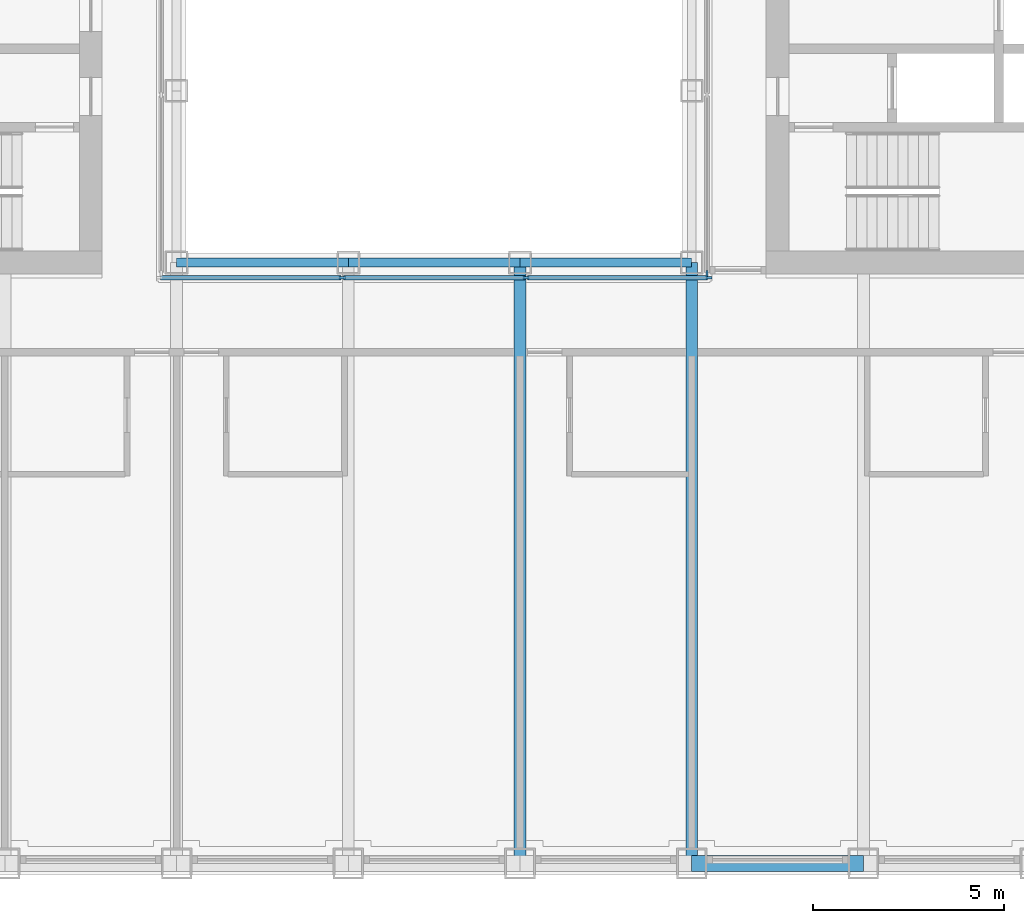
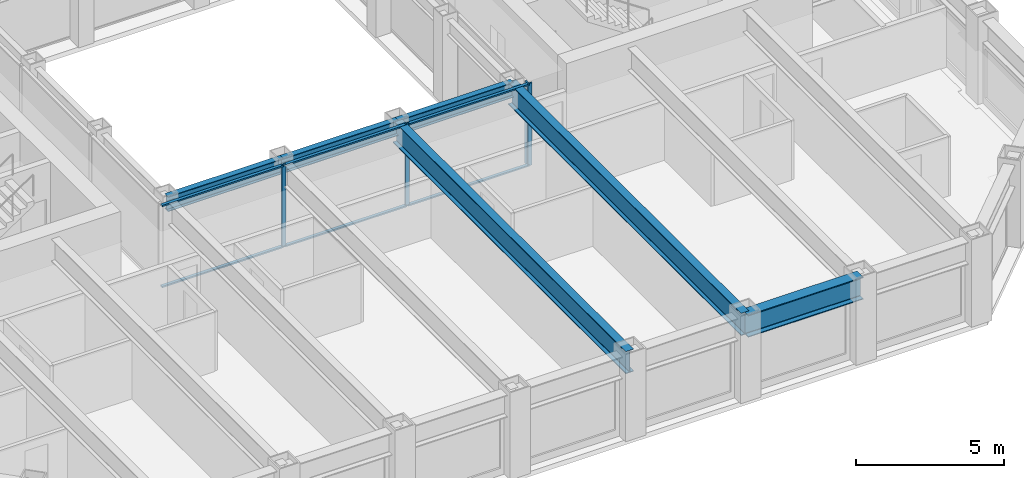
# One storey, part 3 of 17: 10 members, 6 beams, 2 elements without a shape of their own.
"""IFC4 building model written with IfcOpenShell, lengths in metres."""

import ifcopenshell
import ifcopenshell.guid

model = None  # the IFC model being written
_history = None  # IfcOwnerHistory: only IFC2X3 demands one
_inside = {}  # id of a spatial element -> (the spatial element, [elements in it])
_under = {}  # id of a project, library or spatial element -> (it, [spatial elements below it])
_declared = {}  # id of a project -> (the project, [libraries it declares])
_typed = {}  # id of a type object -> (the type object, [elements of that type])
_made_of = {}  # id of a material, layer set ... -> (it, [elements and type objects made of it])


def new_model(schema):
    """Start an empty IFC model of exactly this schema.

    Asked for "IFC4X3", IfcOpenShell would pick the latest addendum, in which some entities
    have other attributes; the version numbers below select the first issue.
    IFC2X3 requires an IfcOwnerHistory on every rooted entity: one is made here for all.
    """
    global model, _history
    if schema == "IFC4X3":
        model = ifcopenshell.file(schema_version=(4, 3, 0, 0))
    else:
        model = ifcopenshell.file(schema=schema)
    _inside.clear()
    _under.clear()
    _declared.clear()
    _typed.clear()
    _made_of.clear()
    _history = None
    if model.schema == "IFC2X3":
        org = make("IfcOrganization", Name="unknown")
        user = make(
            "IfcPersonAndOrganization",
            ThePerson=make("IfcPerson", FamilyName="unknown"),
            TheOrganization=org,
        )
        app = make(
            "IfcApplication",
            ApplicationDeveloper=org,
            Version="unknown",
            ApplicationFullName="unknown",
            ApplicationIdentifier="unknown",
        )
        _history = make(
            "IfcOwnerHistory",
            OwningUser=user,
            OwningApplication=app,
            ChangeAction="ADDED",
            CreationDate=0,
        )
    return model


def make(cls, **values):
    """One entity of the class cls with the attributes given. An attribute that is None is left unset."""
    return model.create_entity(
        cls, **{name: value for name, value in values.items() if value is not None}
    )


def rooted(cls, **values):
    """An entity with a GlobalId (a new one), such as an element, a storey or a relation."""
    return make(cls, GlobalId=ifcopenshell.guid.new(), OwnerHistory=_history, **values)


def si_unit(unit_type, name, prefix=None):
    """IfcSIUnit, for example si_unit("LENGTHUNIT", "METRE", prefix="MILLI")."""
    return make("IfcSIUnit", UnitType=unit_type, Prefix=prefix, Name=name)


def assignment(units):
    """IfcUnitAssignment: the units of a project."""
    return None if units is None else make("IfcUnitAssignment", Units=units)


def point(xyz):
    """IfcCartesianPoint."""
    return None if xyz is None else make("IfcCartesianPoint", Coordinates=xyz)


def direction(xyz):
    """IfcDirection."""
    return None if xyz is None else make("IfcDirection", DirectionRatios=xyz)


def frame(location, z_axis=None, x_axis=None):
    """IfcAxis2Placement3D, a coordinate frame: its origin and axes. An axis left out is left unset."""
    return make(
        "IfcAxis2Placement3D",
        Location=point(location),
        Axis=direction(z_axis),
        RefDirection=direction(x_axis),
    )


def frame_2d(location, x_axis=None):
    """IfcAxis2Placement2D, a coordinate frame in the plane: its origin and x axis."""
    return make(
        "IfcAxis2Placement2D", Location=point(location), RefDirection=direction(x_axis)
    )


def origin():
    """The frame at (0, 0, 0) with its axes left unset."""
    return frame((0.0, 0.0, 0.0))


def origin_2d():
    """The frame at (0, 0) in the plane with its x axis left unset."""
    return frame_2d((0.0, 0.0))


def place(relative_to, where):
    """IfcLocalPlacement: puts the frame where relative to a parent placement (None: the world)."""
    return make(
        "IfcLocalPlacement", PlacementRelTo=relative_to, RelativePlacement=where
    )


def context(
    kind, dimensions, precision=None, world=None, true_north=None, identifier=None
):
    """IfcGeometricRepresentationContext, for example the 3D "Model" context."""
    return make(
        "IfcGeometricRepresentationContext",
        ContextIdentifier=identifier,
        ContextType=kind,
        CoordinateSpaceDimension=dimensions,
        Precision=precision,
        WorldCoordinateSystem=world,
        TrueNorth=true_north,
    )


def subcontext(parent, identifier, kind, view, scale=None):
    """IfcGeometricRepresentationSubContext, for example "Body" below "Model"."""
    return make(
        "IfcGeometricRepresentationSubContext",
        ContextIdentifier=identifier,
        ContextType=kind,
        ParentContext=parent,
        TargetScale=scale,
        TargetView=view,
    )


def project(units=None, contexts=None):
    """IfcProject with its units and contexts."""
    return rooted(
        "IfcProject",
        Name="project",
        RepresentationContexts=contexts,
        UnitsInContext=assignment(units),
    )


def spatial(cls, under=None, at=None, **own):
    """A site, building, storey or space (cls), placed at a placement, below another one or the project."""
    s = rooted(cls, ObjectPlacement=at, **own)
    if under is not None:
        _under.setdefault(under.id(), (under, []))[1].append(s)
    return s


def profile(cls, at=None, kind="AREA", **sizes):
    """A parametric profile (cls). Its sizes go by their IFC names, for example OverallWidth=200.0."""
    return make(cls, ProfileType=kind, Position=at, **sizes)


def rectangle(**sizes):
    """IfcRectangleProfileDef."""
    return profile("IfcRectangleProfileDef", **sizes)


def i_section(**sizes):
    """IfcIShapeProfileDef."""
    return profile("IfcIShapeProfileDef", **sizes)


def extrude(swept, where, along, depth):
    """IfcExtrudedAreaSolid: the profile swept, set in the frame where, extruded along a direction by depth."""
    return make(
        "IfcExtrudedAreaSolid",
        SweptArea=swept,
        Position=where,
        ExtrudedDirection=direction(along),
        Depth=depth,
    )


def shape(context_of_items, identifier, shape_type, items):
    """IfcShapeRepresentation: the items that make up one representation, for example the "Body"."""
    return make(
        "IfcShapeRepresentation",
        ContextOfItems=context_of_items,
        RepresentationIdentifier=identifier,
        RepresentationType=shape_type,
        Items=items,
    )


def material(Name=None, Category=None):
    """IfcMaterial."""
    return make("IfcMaterial", Name=Name, Category=Category)


def material_profile(
    of_material, cross_section, Name=None, Category=None, Priority=None
):
    """IfcMaterialProfile: a cross section and its material."""
    return make(
        "IfcMaterialProfile",
        Name=Name,
        Material=of_material,
        Profile=cross_section,
        Priority=Priority,
        Category=Category,
    )


def profile_set(profiles, Name=None, composite=None):
    """IfcMaterialProfileSet."""
    return make(
        "IfcMaterialProfileSet",
        Name=Name,
        MaterialProfiles=profiles,
        CompositeProfile=composite,
    )


def made_of(thing, what):
    """Note that an element or type object is made of a material, layer set ...; save() writes the relation."""
    if what is not None:
        _made_of.setdefault(what.id(), (what, []))[1].append(thing)
    return thing


def type_object(cls, material=None, **own):
    """A type object (cls), such as IfcWallType, which elements share."""
    return made_of(rooted(cls, **own), material)


def element(
    cls,
    number,
    at=None,
    inside=None,
    cuts=None,
    type_object=None,
    material=None,
    context=None,
    identifier="Body",
    shape_type=None,
    held_by="IfcProductDefinitionShape",
    body=None,
    shapes=None,
    **own,
):
    """One element of the class cls, such as IfcWall. Its Tag is "e" and its number.

    at: its placement. inside: the storey or other place that contains it. cuts: it is an
    opening in that element (IfcRelVoidsElement). A single representation is given by context,
    identifier, shape_type and body (its items); several are given by shapes. held_by: the class
    of the entity that holds the representations. save() writes the other relations.
    """
    e = rooted(cls, Tag="e%d" % number, ObjectPlacement=at, **own)
    if body is not None:
        shapes = [shape(context, identifier, shape_type, body)]
    if shapes is not None:
        e.Representation = make(held_by, Representations=shapes)
    if inside is not None:
        _inside.setdefault(inside.id(), (inside, []))[1].append(e)
    if cuts is not None:
        rooted(
            "IfcRelVoidsElement", RelatingBuildingElement=cuts, RelatedOpeningElement=e
        )
    if type_object is not None:
        _typed.setdefault(type_object.id(), (type_object, []))[1].append(e)
    return made_of(e, material)


def aggregate(whole, parts):
    """IfcRelAggregates: a whole, such as a stair, and the parts it consists of."""
    return rooted("IfcRelAggregates", RelatingObject=whole, RelatedObjects=parts)


def save(model, path):
    """Write the relations noted so far, then the file.

    IfcRelAggregates (storeys below a building ...), IfcRelContainedInSpatialStructure (elements
    in a storey), IfcRelDefinesByType, IfcRelAssociatesMaterial and IfcRelDeclares: one each for
    every whole, place, type object, material and project.
    """
    for whole, parts in _under.values():
        aggregate(whole, parts)
    for where, things in _inside.values():
        rooted(
            "IfcRelContainedInSpatialStructure",
            RelatedElements=things,
            RelatingStructure=where,
        )
    for kind, things in _typed.values():
        rooted("IfcRelDefinesByType", RelatedObjects=things, RelatingType=kind)
    for what, things in _made_of.values():
        rooted("IfcRelAssociatesMaterial", RelatedObjects=things, RelatingMaterial=what)
    for by, libraries in _declared.values():
        rooted("IfcRelDeclares", RelatingContext=by, RelatedDefinitions=libraries)
    model.write(path)


model = new_model("IFC4")

# Units and contexts
model_context = context("Model", 3, precision=1e-05, world=origin(), true_north=direction((0.0, 1.0)))
body_context = subcontext(model_context, "Body", "Model", "MODEL_VIEW")
ifc_project = project(units=[si_unit("LENGTHUNIT", "METRE"), si_unit("AREAUNIT", "SQUARE_METRE"), si_unit("VOLUMEUNIT", "CUBIC_METRE"), si_unit("PLANEANGLEUNIT", "RADIAN"), si_unit("MASSUNIT", "GRAM", prefix="KILO")], contexts=[model_context])

# Site, building, storey
site_placement = place(None, origin())
site = spatial("IfcSite", under=ifc_project, at=site_placement, CompositionType="ELEMENT")
building_placement = place(site_placement, origin())
building = spatial("IfcBuilding", under=site, at=building_placement, Name="Msasa Ring Tower", CompositionType="ELEMENT")
storey_placement = place(building_placement, frame((0.0, 0.0, 147.199951171875)))
storey = spatial("IfcBuildingStorey", under=building, at=storey_placement, Name="L38", CompositionType="ELEMENT", Elevation=147.199951171875)

# Curtain wall, members
ifc_material_1 = material(Name="Aluminium curtain wall with clear glass", Category="aluminium")
curtain_wall_type = type_object("IfcCurtainWallType", Name="CW-W LIGHT WELL CURTAIN WALL", PredefinedType="NOTDEFINED", material=ifc_material_1)
curtain_wall_1_placement = place(storey_placement, origin())
curtain_wall_1 = element("IfcCurtainWall", 1, at=curtain_wall_1_placement, inside=storey, type_object=curtain_wall_type, Name="Light well curtain wall S L38", PredefinedType="NOTDEFINED")
ifc_material_2 = material(Name="Aluminium mullion", Category="aluminium")
ifc_material_profile_1 = material_profile(ifc_material_2, rectangle(XDim=0.06005859375, YDim=0.159912109375, at=origin_2d()), Name="AL 60x160")
ifc_profile_set_1 = profile_set([ifc_material_profile_1], Name="Aluminium mullion")
member_type_1 = type_object("IfcMemberType", Name="CW-W MULLION 60x160", PredefinedType="MULLION", material=ifc_profile_set_1)
member_1_placement = place(storey_placement, frame((-2.409912109375, -7.14990234375, 0.0), z_axis=(0.0, 0.0, 1.0), x_axis=(0.0, 1.0, 0.0)))
member_1 = element("IfcMember", 2, at=member_1_placement, type_object=member_type_1, Name="CW-W mullion 2", PredefinedType="MULLION", context=body_context, shape_type="SweptSolid", body=[
    extrude(rectangle(XDim=0.06005859375, YDim=0.159912109375, at=origin_2d()), origin(), (0.0, 0.0, 1.0), 3.400146484375),
])
member_2_placement = place(storey_placement, frame((2.409912109375, -7.14990234375, 0.0), z_axis=(0.0, 0.0, 1.0), x_axis=(0.0, 1.0, 0.0)))
member_2 = element("IfcMember", 3, at=member_2_placement, type_object=member_type_1, Name="CW-W mullion 3", PredefinedType="MULLION", context=body_context, shape_type="SweptSolid", body=[
    extrude(rectangle(XDim=0.06005859375, YDim=0.159912109375, at=origin_2d()), origin(), (0.0, 0.0, 1.0), 3.400146484375),
])
member_3_placement = place(storey_placement, frame((7.199951171875, -7.14990234375, 0.0), z_axis=(0.0, 0.0, 1.0), x_axis=(0.0, 1.0, 0.0)))
member_3 = element("IfcMember", 4, at=member_3_placement, type_object=member_type_1, Name="CW-W mullion 4", PredefinedType="MULLION", context=body_context, shape_type="SweptSolid", body=[
    extrude(rectangle(XDim=0.06005859375, YDim=0.159912109375, at=origin_2d()), origin(), (0.0, 0.0, 1.0), 3.400146484375),
])

# Curtain wall, member
curtain_wall_2_placement = place(storey_placement, origin())
curtain_wall_2 = element("IfcCurtainWall", 5, at=curtain_wall_2_placement, inside=storey, type_object=curtain_wall_type, Name="Light well curtain wall E L38", PredefinedType="NOTDEFINED")
member_4_placement = place(storey_placement, frame((7.14990234375, -7.0400390625, 0.0), z_axis=(0.0, 0.0, 1.0), x_axis=(-1.0, 0.0, 0.0)))
member_4 = element("IfcMember", 6, at=member_4_placement, type_object=member_type_1, Name="CW-W mullion 1", PredefinedType="MULLION", context=body_context, shape_type="SweptSolid", body=[
    extrude(rectangle(XDim=0.06005859375, YDim=0.159912109375, at=origin_2d()), origin(), (0.0, 0.0, 1.0), 3.400146484375),
])
aggregate(curtain_wall_2, [member_4])

# Member
ifc_material_3 = material(Name="Aluminium transom", Category="aluminium")
ifc_material_profile_2 = material_profile(ifc_material_3, rectangle(XDim=0.1201171875, YDim=0.06005859375, at=origin_2d()), Name="AL 60x120")
ifc_profile_set_2 = profile_set([ifc_material_profile_2], Name="Aluminium transom")
member_type_2 = type_object("IfcMemberType", Name="CW-W TRANSOM 60x120", PredefinedType="USERDEFINED", material=ifc_profile_set_2)
member_5_placement = place(storey_placement, frame((-7.169921875, -7.14990234375, 0.030029296875), z_axis=(1.0, 0.0, 0.0), x_axis=(0.0, 1.0, 0.0)))
member_5 = element("IfcMember", 7, at=member_5_placement, type_object=member_type_2, Name="CW-W transom 1.1", ObjectType="TRANSOM", PredefinedType="USERDEFINED", context=body_context, shape_type="SweptSolid", body=[
    extrude(rectangle(XDim=0.1201171875, YDim=0.06005859375, at=origin_2d()), origin(), (0.0, 0.0, 1.0), 4.72998046875),
])

member_6_placement = place(storey_placement, frame((-7.169921875, -7.14990234375, 3.3701171875), z_axis=(1.0, 0.0, 0.0), x_axis=(0.0, 1.0, 0.0)))
member_6 = element("IfcMember", 8, at=member_6_placement, type_object=member_type_2, Name="CW-W transom 1.2", ObjectType="TRANSOM", PredefinedType="USERDEFINED", context=body_context, shape_type="SweptSolid", body=[
    extrude(rectangle(XDim=0.1201171875, YDim=0.06005859375, at=origin_2d()), origin(), (0.0, 0.0, 1.0), 4.72998046875),
])

member_7_placement = place(storey_placement, frame((-2.3798828125, -7.14990234375, 0.030029296875), z_axis=(1.0, 0.0, 0.0), x_axis=(0.0, 1.0, 0.0)))
member_7 = element("IfcMember", 9, at=member_7_placement, type_object=member_type_2, Name="CW-W transom 2.1", ObjectType="TRANSOM", PredefinedType="USERDEFINED", context=body_context, shape_type="SweptSolid", body=[
    extrude(rectangle(XDim=0.1201171875, YDim=0.06005859375, at=origin_2d()), origin(), (0.0, 0.0, 1.0), 4.759765625),
])

member_8_placement = place(storey_placement, frame((-2.3798828125, -7.14990234375, 3.3701171875), z_axis=(1.0, 0.0, 0.0), x_axis=(0.0, 1.0, 0.0)))
member_8 = element("IfcMember", 10, at=member_8_placement, type_object=member_type_2, Name="CW-W transom 2.2", ObjectType="TRANSOM", PredefinedType="USERDEFINED", context=body_context, shape_type="SweptSolid", body=[
    extrude(rectangle(XDim=0.1201171875, YDim=0.06005859375, at=origin_2d()), origin(), (0.0, 0.0, 1.0), 4.759765625),
])

member_9_placement = place(storey_placement, frame((2.43994140625, -7.14990234375, 0.030029296875), z_axis=(1.0, 0.0, 0.0), x_axis=(0.0, 1.0, 0.0)))
member_9 = element("IfcMember", 11, at=member_9_placement, type_object=member_type_2, Name="CW-W transom 3.1", ObjectType="TRANSOM", PredefinedType="USERDEFINED", context=body_context, shape_type="SweptSolid", body=[
    extrude(rectangle(XDim=0.1201171875, YDim=0.06005859375, at=origin_2d()), origin(), (0.0, 0.0, 1.0), 4.72998046875),
])

member_10_placement = place(storey_placement, frame((2.43994140625, -7.14990234375, 3.3701171875), z_axis=(1.0, 0.0, 0.0), x_axis=(0.0, 1.0, 0.0)))
member_10 = element("IfcMember", 12, at=member_10_placement, type_object=member_type_2, Name="CW-W transom 3.2", ObjectType="TRANSOM", PredefinedType="USERDEFINED", context=body_context, shape_type="SweptSolid", body=[
    extrude(rectangle(XDim=0.1201171875, YDim=0.06005859375, at=origin_2d()), origin(), (0.0, 0.0, 1.0), 4.72998046875),
])

aggregate(curtain_wall_1, [member_1, member_2, member_3, member_5, member_6, member_7, member_8, member_9, member_10])

# Beams
ifc_material_4 = material(Name="Steel S355", Category="steel")
ifc_material_profile_3 = material_profile(ifc_material_4, i_section(OverallWidth=0.3076171875, OverallDepth=0.926513671875, WebThickness=0.01953125, FlangeThickness=0.031982421875, FilletRadius=0.01904296875, at=origin_2d()), Name="UB 914x305x289")
ifc_profile_set_3 = profile_set([ifc_material_profile_3], Name="Steel S355")
beam_type_1 = type_object("IfcBeamType", Name="FB3 UB 914x305x289", PredefinedType="BEAM", material=ifc_profile_set_3)
for number, where, z_axis, x_axis, name in (
    (13, (2.25, -22.5, 2.936767578125), (0.0, 1.0, 0.0), (-1.0, 0.0, 0.0), "Floor beam S+2.25 under L39"),
    (14, (6.75, -22.5, 2.936767578125), (0.0, 1.0, 0.0), (-1.0, 0.0, 0.0), "Floor beam S+6.75 under L39"),
):
    element("IfcBeam", number, at=place(storey_placement, frame(where, z_axis=z_axis, x_axis=x_axis)), inside=storey, type_object=beam_type_1, Name=name, PredefinedType="BEAM", context=body_context, shape_type="SweptSolid", body=[
        extrude(i_section(OverallWidth=0.3076171875, OverallDepth=0.926513671875, WebThickness=0.01953125, FlangeThickness=0.031982421875, FilletRadius=0.01904296875, at=origin_2d()), origin(), (0.0, 0.0, 1.0), 15.75),
    ])
ifc_material_5 = material(Name="Steel S355", Category="steel")
ifc_material_profile_4 = material_profile(ifc_material_5, i_section(OverallWidth=0.230224609375, OverallDepth=0.6171875, WebThickness=0.01318359375, FlangeThickness=0.022216796875, FilletRadius=0.0126953125, at=origin_2d()), Name="UB 610x229x140")
ifc_profile_set_4 = profile_set([ifc_material_profile_4], Name="Steel S355")
beam_type_2 = type_object("IfcBeamType", Name="RB1 UB 610x229x140", PredefinedType="BEAM", material=ifc_profile_set_4)
for number, where, z_axis, x_axis, name in (
    (15, (-6.75, -6.75, 3.091552734375), (1.0, 0.0, 0.0), (0.0, 1.0, 0.0), "Inner ring beam IR-6.75-6.75 under L39"),
    (16, (-2.25, -6.75, 3.091552734375), (1.0, 0.0, 0.0), (0.0, 1.0, 0.0), "Inner ring beam IR-2.25-6.75 under L39"),
    (17, (2.25, -6.75, 3.091552734375), (1.0, 0.0, 0.0), (0.0, 1.0, 0.0), "Inner ring beam IR+2.25-6.75 under L39"),
):
    element("IfcBeam", number, at=place(storey_placement, frame(where, z_axis=z_axis, x_axis=x_axis)), inside=storey, type_object=beam_type_2, Name=name, PredefinedType="BEAM", context=body_context, shape_type="SweptSolid", body=[
        extrude(i_section(OverallWidth=0.230224609375, OverallDepth=0.6171875, WebThickness=0.01318359375, FlangeThickness=0.022216796875, FilletRadius=0.0126953125, at=origin_2d()), origin(), (0.0, 0.0, 1.0), 4.5),
    ])
ifc_material_6 = material(Name="Steel S355", Category="steel")
ifc_material_profile_5 = material_profile(ifc_material_6, i_section(OverallWidth=0.42041015625, OverallDepth=0.9208984375, WebThickness=0.021484375, FlangeThickness=0.03662109375, FilletRadius=0.024169921875, at=origin_2d()), Name="UB 914x419x388")
ifc_profile_set_5 = profile_set([ifc_material_profile_5], Name="Steel S355")
beam_type_3 = type_object("IfcBeamType", Name="SB1 UB 914x419x388", PredefinedType="SPANDREL", material=ifc_profile_set_5)
beam_placement = place(storey_placement, frame((6.75, -22.5, 2.939453125), z_axis=(1.0, 0.0, 0.0), x_axis=(0.0, 1.0, 0.0)))
element("IfcBeam", 18, at=beam_placement, inside=storey, type_object=beam_type_3, Name="Spandrel S+6.75 to S+11.25 under L39", PredefinedType="SPANDREL", context=body_context, shape_type="SweptSolid", body=[
    extrude(i_section(OverallWidth=0.42041015625, OverallDepth=0.9208984375, WebThickness=0.021484375, FlangeThickness=0.03662109375, FilletRadius=0.024169921875, at=origin_2d()), origin(), (0.0, 0.0, 1.0), 4.5),
])

save(model, "model.ifc")
